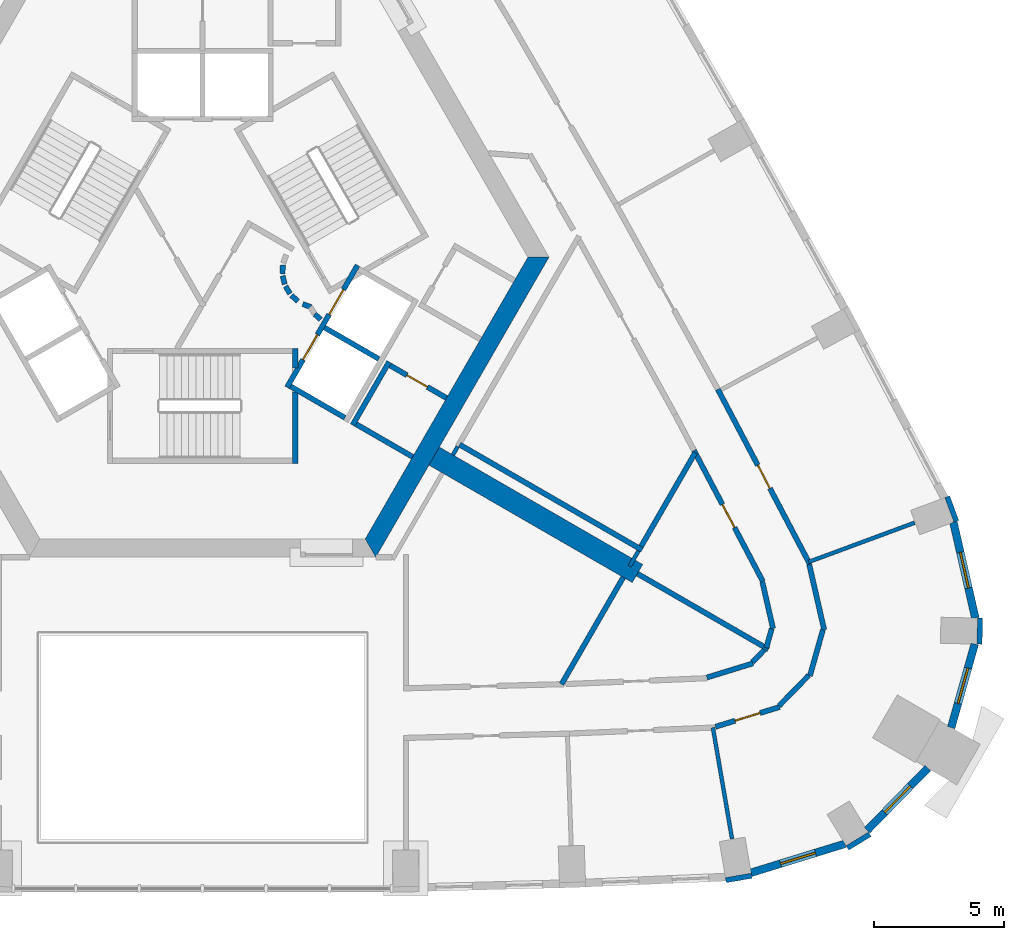
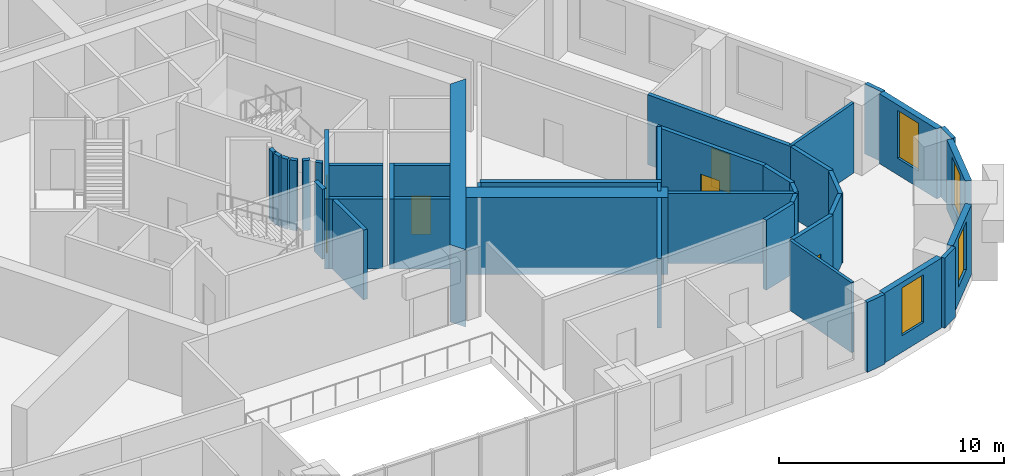
# One storey, part 6 of 13: 42 walls, 6 doors, 4 windows, 10 openings.
"""IFC4 building model written with IfcOpenShell, lengths in metres."""

from ifc_helpers import new_model, si_unit, direction, frame, frame_2d, origin, place, context, subcontext, project, spatial, polyline, rectangle, outline, extrude, material, layer, layer_set, type_object, element, fill, save


model = new_model("IFC4")

# Units and contexts
model_context = context("Model", 3, precision=1e-05, world=origin(), true_north=direction((0.0, 1.0)))
body_context = subcontext(model_context, "Body", "Model", "MODEL_VIEW")
ifc_project = project(units=[si_unit("LENGTHUNIT", "METRE"), si_unit("AREAUNIT", "SQUARE_METRE"), si_unit("VOLUMEUNIT", "CUBIC_METRE"), si_unit("PLANEANGLEUNIT", "RADIAN"), si_unit("MASSUNIT", "GRAM", prefix="KILO")], contexts=[model_context])

# Site, building, storey
site_placement = place(None, origin())
site = spatial("IfcSite", under=ifc_project, at=site_placement, CompositionType="ELEMENT")
building_placement = place(site_placement, origin())
building = spatial("IfcBuilding", under=site, at=building_placement, Name="Entoto Arch Interchange Tower", CompositionType="ELEMENT")
storey_placement = place(building_placement, frame((0.0, 0.0, 198.199951171875)))
storey = spatial("IfcBuildingStorey", under=building, at=storey_placement, Name="L44", CompositionType="ELEMENT", Elevation=198.199951171875)

# Walls
ifc_material_1 = material(Name="Concrete C50/60", Category="concrete")
ifc_layer_1 = layer(ifc_material_1, 0.800048828125)
ifc_layer_set_1 = layer_set([ifc_layer_1], Name="Concrete C50/60")
wall_type_1 = type_object("IfcWallType", Name="Buttress wall 800 C50/60", PredefinedType="SHEAR", material=ifc_layer_set_1)
wall_1_placement = place(storey_placement, frame((8.876953125, -5.125, -0.39990234375), z_axis=(0.0, 0.0, 1.0), x_axis=(0.866017533419, -0.500013631625, 0.0)))
element("IfcWall", 1, at=wall_1_placement, inside=storey, type_object=wall_type_1, Name="Buttress wall SE L44", PredefinedType="SHEAR", context=body_context, shape_type="SweptSolid", body=[
    extrude(rectangle(XDim=8.999755859375, YDim=0.800048828125, at=frame_2d((4.5, 0.0))), origin(), (0.0, 0.0, 1.0), 4.199951171875),
])
ifc_layer_2 = layer(ifc_material_1, 0.699951171875)
ifc_layer_set_2 = layer_set([ifc_layer_2], Name="Concrete C50/60")
wall_type_2 = type_object("IfcWallType", Name="Core wall 700 C50/60", PredefinedType="SHEAR", material=ifc_layer_set_2)
wall_2_placement = place(storey_placement, frame((0.0, 0.0, -0.39990234375)))
element("IfcWall", 2, at=wall_2_placement, inside=storey, type_object=wall_type_2, Name="Core wall SE L44", PredefinedType="SHEAR", context=body_context, shape_type="SweptSolid", body=[
    extrude(outline(polyline([(6.639892578125, -9.0), (13.279052734375, 2.5), (12.470947265625, 2.5), (6.235107421875, -8.300048828125), (6.639892578125, -9.0)])), origin(), (0.0, 0.0, 1.0), 4.199951171875),
])

# Wall, openings, doors
ifc_material_2 = material(Name="Concrete C40/50", Category="concrete")
ifc_layer_3 = layer(ifc_material_2, 0.199951171875)
ifc_layer_set_3 = layer_set([ifc_layer_3], Name="Concrete C40/50")
wall_type_3 = type_object("IfcWallType", Name="LIFT SHAFT WALL 200", PredefinedType="STANDARD", material=ifc_layer_set_3)
wall_3_placement = place(storey_placement, frame((3.239990234375, -2.488037109375, 0.0), z_axis=(0.0, 0.0, 1.0), x_axis=(0.500034260056, 0.866005622828, 0.0)))
wall_3 = element("IfcWall", 3, at=wall_3_placement, inside=storey, type_object=wall_type_3, Name="Shaft wall SE1 front", PredefinedType="STANDARD", context=body_context, shape_type="SweptSolid", body=[
    extrude(rectangle(XDim=5.3994140625, YDim=0.199951171875, at=frame_2d((2.69970703125, 0.0))), origin(), (0.0, 0.0, 1.0), 3.800048828125),
])
opening_1_placement = place(wall_3_placement, frame((3.22509765625, 0.0, 0.0)))
opening_1 = element("IfcOpeningElement", 4, at=opening_1_placement, cuts=wall_3, Name="Opening LD-HR3-L44", PredefinedType="OPENING", context=body_context, shape_type="SweptSolid", body=[
    extrude(rectangle(XDim=1.10009765625, YDim=2.10009765625, at=frame_2d((0.550048828125, 1.050048828125))), frame((0.0, 0.10986328125, 0.0), z_axis=(0.0, -1.0, 0.0), x_axis=(1.0, 0.0, 0.0)), (0.0, 0.0, 1.0), 0.219970703125),
])
opening_2_placement = place(wall_3_placement, frame((1.22509765625, 0.0, 0.0)))
opening_2 = element("IfcOpeningElement", 5, at=opening_2_placement, cuts=wall_3, Name="Opening LD-FF1-L44", PredefinedType="OPENING", context=body_context, shape_type="SweptSolid", body=[
    extrude(rectangle(XDim=1.10009765625, YDim=2.10009765625, at=frame_2d((0.550048828125, 1.050048828125))), frame((0.0, 0.10986328125, 0.0), z_axis=(0.0, -1.0, 0.0), x_axis=(1.0, 0.0, 0.0)), (0.0, 0.0, 1.0), 0.219970703125),
])
ifc_material_3 = material(Name="Stainless steel 1.4301 panels", Category="steel")
door_type_1 = type_object("IfcDoorType", Name="LIFT LANDING DOOR LD1 1100x2100", OperationType="SLIDING_TO_LEFT", PredefinedType="DOOR", material=ifc_material_3)
door_1_placement = place(opening_1_placement, origin())
door_1 = element("IfcDoor", 6, at=door_1_placement, inside=storey, type_object=door_type_1, Name="Lift landing door HR3 L44", OperationType="SLIDING_TO_LEFT", OverallHeight=2.10009765625, OverallWidth=1.10009765625, PredefinedType="DOOR", context=body_context, shape_type="SweptSolid", body=[
    extrude(rectangle(XDim=1.10009765625, YDim=2.10009765625, at=frame_2d((0.550048828125, 1.050048828125))), frame((0.0, 0.02490234375, 0.0), z_axis=(0.0, -1.0, 0.0), x_axis=(1.0, 0.0, 0.0)), (0.0, 0.0, 1.0), 0.050048828125),
])
fill(opening_1, door_1)
door_2_placement = place(opening_2_placement, origin())
door_2 = element("IfcDoor", 7, at=door_2_placement, inside=storey, type_object=door_type_1, Name="Lift landing door FF1 L44", OperationType="SLIDING_TO_LEFT", OverallHeight=2.10009765625, OverallWidth=1.10009765625, PredefinedType="DOOR", context=body_context, shape_type="SweptSolid", body=[
    extrude(rectangle(XDim=1.10009765625, YDim=2.10009765625, at=frame_2d((0.550048828125, 1.050048828125))), frame((0.0, 0.02490234375, 0.0), z_axis=(0.0, -1.0, 0.0), x_axis=(1.0, 0.0, 0.0)), (0.0, 0.0, 1.0), 0.050048828125),
])
fill(opening_2, door_2)

# Walls
wall_4_placement = place(storey_placement, frame((3.376953125, -2.451904296875, 0.0), z_axis=(0.0, 0.0, 1.0), x_axis=(0.865955154139, -0.50012165622, 0.0)))
element("IfcWall", 8, at=wall_4_placement, inside=storey, type_object=wall_type_3, Name="Shaft wall SE1 cross 1", PredefinedType="STANDARD", context=body_context, shape_type="SweptSolid", body=[
    extrude(rectangle(XDim=2.39990234375, YDim=0.199951171875, at=frame_2d((1.199951171875, 0.0))), origin(), (0.0, 0.0, 1.0), 3.800048828125),
])
wall_5_placement = place(storey_placement, frame((4.677001953125, -0.199951171875, 0.0), z_axis=(0.0, 0.0, 1.0), x_axis=(0.865973769406, -0.500089422704, 0.0)))
element("IfcWall", 9, at=wall_5_placement, inside=storey, type_object=wall_type_3, Name="Shaft wall SE1 cross 2", PredefinedType="STANDARD", context=body_context, shape_type="SweptSolid", body=[
    extrude(rectangle(XDim=2.3994140625, YDim=0.199951171875, at=frame_2d((1.19970703125, 0.0))), origin(), (0.0, 0.0, 1.0), 3.800048828125),
])
ifc_material_4 = material(Name="Gypsum board partition on steel studs", Category="steel")
ifc_layer_4 = layer(ifc_material_4, 0.14990234375)
ifc_layer_set_4 = layer_set([ifc_layer_4], Name="Gypsum board partition on steel studs")
wall_type_4 = type_object("IfcWallType", Name="PARTITION 150", PredefinedType="PARTITIONING", material=ifc_layer_set_4)
wall_6_placement = place(storey_placement, frame((16.7099609375, -8.758056640625, 0.0), z_axis=(0.0, 0.0, 1.0), x_axis=(-0.500013496215, -0.866017611601, 0.0)))
element("IfcWall", 10, at=wall_6_placement, inside=storey, type_object=wall_type_4, Name="wall:L44:p105", PredefinedType="PARTITIONING", context=body_context, shape_type="SweptSolid", body=[
    extrude(rectangle(XDim=0.677734375, YDim=0.14990234375, at=frame_2d((0.3388671875, 0.0))), origin(), (0.0, 0.0, 1.0), 3.800048828125),
])
wall_7_placement = place(storey_placement, frame((19.56103515625, -15.529052734375, 0.0), z_axis=(0.0, 0.0, 1.0), x_axis=(0.169546150064, -0.98552224886, 0.0)))
element("IfcWall", 11, at=wall_7_placement, inside=storey, type_object=wall_type_4, Name="wall:L44:p109", PredefinedType="PARTITIONING", context=body_context, shape_type="SweptSolid", body=[
    extrude(rectangle(XDim=4.32861328125, YDim=0.14990234375, at=frame_2d((2.164306640625, 0.0))), origin(), (0.0, 0.0, 1.0), 3.800048828125),
])
wall_8_placement = place(storey_placement, frame((23.23095703125, -9.181884765625, 0.0), z_axis=(0.0, 0.0, 1.0), x_axis=(0.937835784628, 0.34707930084, 0.0)))
element("IfcWall", 12, at=wall_8_placement, inside=storey, type_object=wall_type_4, Name="wall:L44:p110", PredefinedType="PARTITIONING", context=body_context, shape_type="SweptSolid", body=[
    extrude(rectangle(XDim=4.330322265625, YDim=0.14990234375, at=frame_2d((2.1650390625, 0.0))), origin(), (0.0, 0.0, 1.0), 3.800048828125),
])
wall_9_placement = place(storey_placement, frame((9.595947265625, -5.077880859375, 0.0), z_axis=(0.0, 0.0, 1.0), x_axis=(0.500827895298, 0.86554689029, 0.0)))
element("IfcWall", 13, at=wall_9_placement, inside=storey, type_object=wall_type_4, Name="wall:L44:p080", PredefinedType="PARTITIONING", context=body_context, shape_type="SweptSolid", body=[
    extrude(rectangle(XDim=0.369384765625, YDim=0.14990234375, at=frame_2d((0.1845703125, 0.0))), origin(), (0.0, 0.0, 1.0), 3.800048828125),
])
ifc_layer_5 = layer(ifc_material_4, 0.199951171875)
ifc_layer_set_5 = layer_set([ifc_layer_5], Name="Gypsum board partition on steel studs")
wall_type_5 = type_object("IfcWallType", Name="PARTITION 200", PredefinedType="PARTITIONING", material=ifc_layer_set_5)
wall_10_placement = place(storey_placement, frame((19.33203125, -13.611083984375, 0.0), z_axis=(0.0, 0.0, 1.0), x_axis=(0.955790442908, 0.294048685161, 0.0)))
element("IfcWall", 14, at=wall_10_placement, inside=storey, type_object=wall_type_5, Name="wall:L44:p021", PredefinedType="PARTITIONING", context=body_context, shape_type="SweptSolid", body=[
    extrude(rectangle(XDim=1.846435546875, YDim=0.199951171875, at=frame_2d((0.92333984375, 0.0))), origin(), (0.0, 0.0, 1.0), 3.800048828125),
])
wall_11_placement = place(storey_placement, frame((21.072021484375, -13.02587890625, 0.0), z_axis=(0.0, 0.0, 1.0), x_axis=(0.697252405765, 0.716825698936, 0.0)))
element("IfcWall", 15, at=wall_11_placement, inside=storey, type_object=wall_type_5, Name="wall:L44:p022", PredefinedType="PARTITIONING", context=body_context, shape_type="SweptSolid", body=[
    extrude(rectangle(XDim=0.6611328125, YDim=0.199951171875, at=frame_2d((0.33056640625, 0.0))), origin(), (0.0, 0.0, 1.0), 3.800048828125),
])
wall_12_placement = place(storey_placement, frame((21.60791015625, -12.47607421875, 0.0), z_axis=(0.0, 0.0, 1.0), x_axis=(0.270277025631, 0.962782597171, 0.0)))
element("IfcWall", 16, at=wall_12_placement, inside=storey, type_object=wall_type_5, Name="wall:L44:p023", PredefinedType="PARTITIONING", context=body_context, shape_type="SweptSolid", body=[
    extrude(rectangle(XDim=0.76953125, YDim=0.199951171875, at=frame_2d((0.384765625, 0.0))), origin(), (0.0, 0.0, 1.0), 3.800048828125),
])
wall_13_placement = place(storey_placement, frame((21.865966796875, -11.737060546875, 0.0), z_axis=(0.0, 0.0, 1.0), x_axis=(-0.222871656966, 0.974847795567, 0.0)))
element("IfcWall", 17, at=wall_13_placement, inside=storey, type_object=wall_type_5, Name="wall:L44:p024", PredefinedType="PARTITIONING", context=body_context, shape_type="SweptSolid", body=[
    extrude(rectangle(XDim=1.839111328125, YDim=0.199951171875, at=frame_2d((0.91943359375, 0.0))), origin(), (0.0, 0.0, 1.0), 3.800048828125),
])

# Wall, opening, door
wall_14_placement = place(storey_placement, frame((21.47998046875, -9.93505859375, 0.0), z_axis=(0.0, 0.0, 1.0), x_axis=(-0.465356775138, 0.885123195851, 0.0)))
wall_14 = element("IfcWall", 18, at=wall_14_placement, inside=storey, type_object=wall_type_5, Name="wall:L44:p025", PredefinedType="PARTITIONING", context=body_context, shape_type="SweptSolid", body=[
    extrude(rectangle(XDim=5.681640625, YDim=0.199951171875, at=frame_2d((2.8408203125, 0.0))), origin(), (0.0, 0.0, 1.0), 3.800048828125),
])
opening_3_placement = place(wall_14_placement, frame((2.341064453125, 0.0, 0.0)))
opening_3 = element("IfcOpeningElement", 19, at=opening_3_placement, cuts=wall_14, Name="Opening L44-D20", PredefinedType="OPENING", context=body_context, shape_type="SweptSolid", body=[
    extrude(rectangle(XDim=1.0, YDim=2.10009765625, at=frame_2d((0.5, 1.050048828125))), frame((0.0, 0.10986328125, 0.0), z_axis=(0.0, -1.0, 0.0), x_axis=(1.0, 0.0, 0.0)), (0.0, 0.0, 1.0), 0.219970703125),
])
ifc_material_5 = material(Name="Timber door leaf in Steel S235 frame", Category="steel")
door_type_2 = type_object("IfcDoorType", Name="DOOR DS-10 1000x2100", OperationType="SINGLE_SWING_LEFT", PredefinedType="DOOR", material=ifc_material_5)
door_3_placement = place(opening_3_placement, origin())
door_3 = element("IfcDoor", 20, at=door_3_placement, inside=storey, type_object=door_type_2, Name="door:L44:20", OperationType="SINGLE_SWING_LEFT", OverallHeight=2.10009765625, OverallWidth=1.0, PredefinedType="DOOR", context=body_context, shape_type="SweptSolid", body=[
    extrude(rectangle(XDim=1.0, YDim=2.10009765625, at=frame_2d((0.5, 1.050048828125))), frame((0.0, 0.02490234375, 0.0), z_axis=(0.0, -1.0, 0.0), x_axis=(1.0, 0.0, 0.0)), (0.0, 0.0, 1.0), 0.050048828125),
])
fill(opening_3, door_3)

# Walls
wall_15_placement = place(storey_placement, frame((23.2529296875, -9.279052734375, 0.0), z_axis=(0.0, 0.0, 1.0), x_axis=(0.222909903746, -0.974839050722, 0.0)))
element("IfcWall", 21, at=wall_15_placement, inside=storey, type_object=wall_type_5, Name="wall:L44:p037", PredefinedType="PARTITIONING", context=body_context, shape_type="SweptSolid", body=[
    extrude(rectangle(XDim=2.570556640625, YDim=0.199951171875, at=frame_2d((1.28515625, 0.0))), origin(), (0.0, 0.0, 1.0), 3.800048828125),
])
wall_16_placement = place(storey_placement, frame((23.77587890625, -11.783935546875, 0.0), z_axis=(0.0, 0.0, 1.0), x_axis=(-0.270522287318, -0.962713712411, 0.0)))
element("IfcWall", 22, at=wall_16_placement, inside=storey, type_object=wall_type_5, Name="wall:L44:p038", PredefinedType="PARTITIONING", context=body_context, shape_type="SweptSolid", body=[
    extrude(rectangle(XDim=1.83642578125, YDim=0.199951171875, at=frame_2d((0.918212890625, 0.0))), origin(), (0.0, 0.0, 1.0), 3.800048828125),
])
wall_17_placement = place(storey_placement, frame((23.236083984375, -13.528076171875, 0.0), z_axis=(0.0, 0.0, 1.0), x_axis=(-0.698551276451, -0.715560000397, 0.0)))
element("IfcWall", 23, at=wall_17_placement, inside=storey, type_object=wall_type_5, Name="wall:L44:p039", PredefinedType="PARTITIONING", context=body_context, shape_type="SweptSolid", body=[
    extrude(rectangle(XDim=1.63623046875, YDim=0.199951171875, at=frame_2d((0.818115234375, 0.0))), origin(), (0.0, 0.0, 1.0), 3.800048828125),
])

# Wall, opening, door
wall_18_placement = place(storey_placement, frame((22.118896484375, -14.740966796875, 0.0), z_axis=(0.0, 0.0, 1.0), x_axis=(-0.955612889251, -0.294625195625, 0.0)))
wall_18 = element("IfcWall", 24, at=wall_18_placement, inside=storey, type_object=wall_type_5, Name="wall:L44:p040", PredefinedType="PARTITIONING", context=body_context, shape_type="SweptSolid", body=[
    extrude(rectangle(XDim=2.576171875, YDim=0.199951171875, at=frame_2d((1.2880859375, 0.0))), origin(), (0.0, 0.0, 1.0), 3.800048828125),
])
opening_4_placement = place(wall_18_placement, frame((0.7880859375, 0.0, 0.0)))
opening_4 = element("IfcOpeningElement", 25, at=opening_4_placement, cuts=wall_18, Name="Opening L44-D03", PredefinedType="OPENING", context=body_context, shape_type="SweptSolid", body=[
    extrude(rectangle(XDim=1.0, YDim=2.10009765625, at=frame_2d((0.5, 1.050048828125))), frame((0.0, 0.10986328125, 0.0), z_axis=(0.0, -1.0, 0.0), x_axis=(1.0, 0.0, 0.0)), (0.0, 0.0, 1.0), 0.219970703125),
])
door_4_placement = place(opening_4_placement, origin())
door_4 = element("IfcDoor", 26, at=door_4_placement, inside=storey, type_object=door_type_2, Name="door:L44:03", OperationType="SINGLE_SWING_LEFT", OverallHeight=2.10009765625, OverallWidth=1.0, PredefinedType="DOOR", context=body_context, shape_type="SweptSolid", body=[
    extrude(rectangle(XDim=1.0, YDim=2.10009765625, at=frame_2d((0.5, 1.050048828125))), frame((0.0, 0.02490234375, 0.0), z_axis=(0.0, -1.0, 0.0), x_axis=(1.0, 0.0, 0.0)), (0.0, 0.0, 1.0), 0.050048828125),
])
fill(opening_4, door_4)

wall_19_placement = place(storey_placement, frame((19.75, -2.56298828125, 0.0), z_axis=(0.0, 0.0, 1.0), x_axis=(0.465444987791, -0.885076812113, 0.0)))
wall_19 = element("IfcWall", 27, at=wall_19_placement, inside=storey, type_object=wall_type_5, Name="wall:L44:p041", PredefinedType="PARTITIONING", context=body_context, shape_type="SweptSolid", body=[
    extrude(rectangle(XDim=7.577880859375, YDim=0.199951171875, at=frame_2d((3.7890625, 0.0))), origin(), (0.0, 0.0, 1.0), 3.800048828125),
])
opening_5_placement = place(wall_19_placement, frame((3.2890625, 0.0, 0.0)))
opening_5 = element("IfcOpeningElement", 28, at=opening_5_placement, cuts=wall_19, Name="Opening L44-D04", PredefinedType="OPENING", context=body_context, shape_type="SweptSolid", body=[
    extrude(rectangle(XDim=1.0, YDim=2.10009765625, at=frame_2d((0.5, 1.050048828125))), frame((0.0, 0.10986328125, 0.0), z_axis=(0.0, -1.0, 0.0), x_axis=(1.0, 0.0, 0.0)), (0.0, 0.0, 1.0), 0.219970703125),
])
door_5_placement = place(opening_5_placement, origin())
door_5 = element("IfcDoor", 29, at=door_5_placement, inside=storey, type_object=door_type_2, Name="door:L44:04", OperationType="SINGLE_SWING_LEFT", OverallHeight=2.10009765625, OverallWidth=1.0, PredefinedType="DOOR", context=body_context, shape_type="SweptSolid", body=[
    extrude(rectangle(XDim=1.0, YDim=2.10009765625, at=frame_2d((0.5, 1.050048828125))), frame((0.0, 0.02490234375, 0.0), z_axis=(0.0, -1.0, 0.0), x_axis=(1.0, 0.0, 0.0)), (0.0, 0.0, 1.0), 0.050048828125),
])
fill(opening_5, door_5)

# Walls
wall_20_placement = place(storey_placement, frame((8.052978515625, -5.152099609375, 0.0), z_axis=(0.0, 0.0, 1.0), x_axis=(-0.866022959057, 0.500004234368, 0.0)))
element("IfcWall", 30, at=wall_20_placement, inside=storey, type_object=wall_type_5, Name="wall:L44:p071", PredefinedType="PARTITIONING", context=body_context, shape_type="SweptSolid", body=[
    extrude(rectangle(XDim=2.5, YDim=0.199951171875, at=frame_2d((1.25, 0.0))), origin(), (0.0, 0.0, 1.0), 3.800048828125),
])
wall_21_placement = place(storey_placement, frame((5.7509765625, -3.93798828125, 0.0), z_axis=(0.0, 0.0, 1.0), x_axis=(0.49994636267, 0.866056369097, 0.0)))
element("IfcWall", 31, at=wall_21_placement, inside=storey, type_object=wall_type_5, Name="wall:L44:p072", PredefinedType="PARTITIONING", context=body_context, shape_type="SweptSolid", body=[
    extrude(rectangle(XDim=2.800048828125, YDim=0.199951171875, at=frame_2d((1.39990234375, 0.0))), origin(), (0.0, 0.0, 1.0), 3.800048828125),
])

# Wall, opening, door
wall_22_placement = place(storey_placement, frame((7.18798828125, -1.64990234375, 0.0), z_axis=(0.0, 0.0, 1.0), x_axis=(0.866022959057, -0.500004234368, 0.0)))
wall_22 = element("IfcWall", 32, at=wall_22_placement, inside=storey, type_object=wall_type_5, Name="wall:L44:p073", PredefinedType="PARTITIONING", context=body_context, shape_type="SweptSolid", body=[
    extrude(rectangle(XDim=2.5, YDim=0.199951171875, at=frame_2d((1.25, 0.0))), origin(), (0.0, 0.0, 1.0), 3.800048828125),
])
opening_6_placement = place(wall_22_placement, frame((0.75, 0.0, 0.0)))
opening_6 = element("IfcOpeningElement", 33, at=opening_6_placement, cuts=wall_22, Name="Opening L44-D32", PredefinedType="OPENING", context=body_context, shape_type="SweptSolid", body=[
    extrude(rectangle(XDim=0.89990234375, YDim=2.10009765625, at=frame_2d((0.449951171875, 1.050048828125))), frame((0.0, 0.10986328125, 0.0), z_axis=(0.0, -1.0, 0.0), x_axis=(1.0, 0.0, 0.0)), (0.0, 0.0, 1.0), 0.219970703125),
])
door_type_3 = type_object("IfcDoorType", Name="DOOR DS-09 900x2100", OperationType="SINGLE_SWING_LEFT", PredefinedType="DOOR", material=ifc_material_5)
door_6_placement = place(opening_6_placement, origin())
door_6 = element("IfcDoor", 34, at=door_6_placement, inside=storey, type_object=door_type_3, Name="door:L44:32", OperationType="SINGLE_SWING_RIGHT", OverallHeight=2.10009765625, OverallWidth=0.89990234375, PredefinedType="DOOR", context=body_context, shape_type="SweptSolid", body=[
    extrude(rectangle(XDim=0.89990234375, YDim=2.10009765625, at=frame_2d((0.449951171875, 1.050048828125))), frame((0.0, 0.02490234375, 0.0), z_axis=(0.0, -1.0, 0.0), x_axis=(1.0, 0.0, 0.0)), (0.0, 0.0, 1.0), 0.050048828125),
])
fill(opening_6, door_6)

# Walls
wall_23_placement = place(storey_placement, frame((3.0791015625, 2.198974609375, 0.0), z_axis=(0.0, 0.0, 1.0), x_axis=(-0.047771483479, -0.998858290933, 0.0)))
element("IfcWall", 35, at=wall_23_placement, inside=storey, type_object=wall_type_5, Name="wall:L44:p086", PredefinedType="PARTITIONING", context=body_context, shape_type="SweptSolid", body=[
    extrude(rectangle(XDim=0.33740234375, YDim=0.199951171875, at=frame_2d((0.168701171875, 0.0))), origin(), (0.0, 0.0, 1.0), 3.800048828125),
])
wall_24_placement = place(storey_placement, frame((3.070068359375, 1.785888671875, 0.0), z_axis=(0.0, 0.0, 1.0), x_axis=(0.242705583207, -0.970099994784, 0.0)))
element("IfcWall", 36, at=wall_24_placement, inside=storey, type_object=wall_type_5, Name="wall:L44:p087", PredefinedType="PARTITIONING", context=body_context, shape_type="SweptSolid", body=[
    extrude(rectangle(XDim=0.337890625, YDim=0.199951171875, at=frame_2d((0.1689453125, 0.0))), origin(), (0.0, 0.0, 1.0), 3.800048828125),
])
for number, where, z_axis, x_axis, name in (
    (37, (3.181884765625, 1.387939453125, 0.0), (0.0, 0.0, 1.0), (0.512474702713, -0.85870232274, 0.0), "wall:L44:p088"),
    (38, (3.404052734375, 1.0390625, 0.0), (0.0, 0.0, 1.0), (0.740267097712, -0.672312891476, 0.0), "wall:L44:p089"),
):
    element("IfcWall", number, at=place(storey_placement, frame(where, z_axis=z_axis, x_axis=x_axis)), inside=storey, type_object=wall_type_5, Name=name, PredefinedType="PARTITIONING", context=body_context, shape_type="SweptSolid", body=[
        extrude(rectangle(XDim=0.337646484375, YDim=0.199951171875, at=frame_2d((0.1689453125, 0.0))), origin(), (0.0, 0.0, 1.0), 3.800048828125),
    ])
wall_25_placement = place(storey_placement, frame((3.837890625, 0.701904296875, 0.0), z_axis=(0.0, 0.0, 1.0), x_axis=(0.941035081519, -0.338308993895, 0.0)))
element("IfcWall", 39, at=wall_25_placement, inside=storey, type_object=wall_type_5, Name="wall:L44:p090", PredefinedType="PARTITIONING", context=body_context, shape_type="SweptSolid", body=[
    extrude(rectangle(XDim=0.3369140625, YDim=0.199951171875, at=frame_2d((0.16845703125, 0.0))), origin(), (0.0, 0.0, 1.0), 3.800048828125),
])
wall_26_placement = place(storey_placement, frame((4.301025390625, 0.31494140625, 0.0), z_axis=(0.0, 0.0, 1.0), x_axis=(0.741798017506, -0.670623367639, 0.0)))
element("IfcWall", 40, at=wall_26_placement, inside=storey, type_object=wall_type_5, Name="wall:L44:p092", PredefinedType="PARTITIONING", context=body_context, shape_type="SweptSolid", body=[
    extrude(rectangle(XDim=0.30859375, YDim=0.199951171875, at=frame_2d((0.154296875, 0.0))), origin(), (0.0, 0.0, 1.0), 3.800048828125),
])
wall_27_placement = place(storey_placement, frame((9.85302734375, -4.68408203125, 0.0), z_axis=(0.0, 0.0, 1.0), x_axis=(0.865999791918, -0.500044358431, 0.0)))
element("IfcWall", 41, at=wall_27_placement, inside=storey, type_object=wall_type_5, Name="wall:L44:p103", PredefinedType="PARTITIONING", context=body_context, shape_type="SweptSolid", body=[
    extrude(rectangle(XDim=8.074951171875, YDim=0.199951171875, at=frame_2d((4.03759765625, 0.0))), origin(), (0.0, 0.0, 1.0), 3.800048828125),
])
wall_28_placement = place(storey_placement, frame((16.125, -9.77099609375, 0.0), z_axis=(0.0, 0.0, 1.0), x_axis=(-0.500030759312, -0.866007644159, 0.0)))
element("IfcWall", 42, at=wall_28_placement, inside=storey, type_object=wall_type_5, Name="wall:L44:p104", PredefinedType="PARTITIONING", context=body_context, shape_type="SweptSolid", body=[
    extrude(rectangle(XDim=4.729736328125, YDim=0.199951171875, at=frame_2d((2.36474609375, 0.0))), origin(), (0.0, 0.0, 1.0), 3.800048828125),
])
wall_29_placement = place(storey_placement, frame((18.882080078125, -4.9951171875, 0.0), z_axis=(0.0, 0.0, 1.0), x_axis=(-0.499895813511, -0.866085547527, 0.0)))
element("IfcWall", 43, at=wall_29_placement, inside=storey, type_object=wall_type_5, Name="wall:L44:p106", PredefinedType="PARTITIONING", context=body_context, shape_type="SweptSolid", body=[
    extrude(rectangle(XDim=4.14501953125, YDim=0.199951171875, at=frame_2d((2.072509765625, 0.0))), origin(), (0.0, 0.0, 1.0), 3.800048828125),
])
wall_30_placement = place(storey_placement, frame((16.6669921875, -9.631103515625, 0.0), z_axis=(0.0, 0.0, 1.0), x_axis=(0.866032775405, -0.499987231761, 0.0)))
element("IfcWall", 44, at=wall_30_placement, inside=storey, type_object=wall_type_5, Name="wall:L44:p107", PredefinedType="PARTITIONING", context=body_context, shape_type="SweptSolid", body=[
    extrude(rectangle(XDim=5.800048828125, YDim=0.199951171875, at=frame_2d((2.89990234375, 0.0))), origin(), (0.0, 0.0, 1.0), 3.800048828125),
])
ifc_layer_6 = layer(ifc_material_2, 0.199951171875)
ifc_layer_set_6 = layer_set([ifc_layer_6], Name="Concrete C40/50")
wall_type_6 = type_object("IfcWallType", Name="STAIR ENCLOSURE WALL 200", PredefinedType="STANDARD", material=ifc_layer_set_6)
wall_31_placement = place(storey_placement, frame((3.550048828125, -2.6669921875, 0.0), z_axis=(0.0, 0.0, 1.0), x_axis=(0.0, -1.0, 0.0)))
element("IfcWall", 45, at=wall_31_placement, inside=storey, type_object=wall_type_6, Name="Stair wall ST-S far", PredefinedType="STANDARD", context=body_context, shape_type="SweptSolid", body=[
    extrude(rectangle(XDim=2.73291015625, YDim=0.199951171875, at=frame_2d((1.366455078125, 0.0))), origin(), (0.0, 0.0, 1.0), 3.800048828125),
])
wall_32_placement = place(storey_placement, frame((3.550048828125, -1.0, 0.0), z_axis=(0.0, 0.0, 1.0), x_axis=(0.0, -1.0, 0.0)))
element("IfcWall", 46, at=wall_32_placement, inside=storey, type_object=wall_type_6, Name="Stair wall ST-S far return", PredefinedType="STANDARD", context=body_context, shape_type="SweptSolid", body=[
    extrude(rectangle(XDim=0.7509765625, YDim=0.199951171875, at=frame_2d((0.37548828125, 0.0))), origin(), (0.0, 0.0, 1.0), 3.800048828125),
])

# Wall, opening, window
ifc_material_6 = material(Name="Welded tuff (ignimbrite) cladding, warm buff", Category="masonry")
ifc_layer_7 = layer(ifc_material_6, 0.300048828125)
ifc_layer_set_7 = layer_set([ifc_layer_7], Name="Welded tuff (ignimbrite) cladding, warm buff")
wall_type_7 = type_object("IfcWallType", Name="STONE INFILL WALL 300", PredefinedType="STANDARD", material=ifc_layer_set_7)
wall_33_placement = place(storey_placement, frame((21.02392578125, -21.094970703125, 0.0), z_axis=(0.0, 0.0, 1.0), x_axis=(0.955692086233, 0.29436819854, 0.0)))
wall_33 = element("IfcWall", 47, at=wall_33_placement, inside=storey, type_object=wall_type_7, Name="Facade wall SE-01 L44", PredefinedType="STANDARD", context=body_context, shape_type="SweptSolid", body=[
    extrude(rectangle(XDim=3.76708984375, YDim=0.300048828125, at=frame_2d((1.883544921875, 0.0))), origin(), (0.0, 0.0, 1.0), 3.800048828125),
])
opening_7_placement = place(wall_33_placement, frame((1.18310546875, 0.0, 0.89990234375)))
opening_7 = element("IfcOpeningElement", 48, at=opening_7_placement, cuts=wall_33, Name="Opening WO-B", PredefinedType="OPENING", context=body_context, shape_type="SweptSolid", body=[
    extrude(rectangle(XDim=1.39990234375, YDim=2.60009765625, at=frame_2d((0.699951171875, 1.300048828125))), frame((0.0, 0.16015625, 0.0), z_axis=(0.0, -1.0, 0.0), x_axis=(1.0, 0.0, 0.0)), (0.0, 0.0, 1.0), 0.320068359375),
])
ifc_material_7 = material(Name="Clear glass, low-e double glazed", Category="glass")
window_type = type_object("IfcWindowType", Name="WINDOW WO-B 1400x2600", PartitioningType="DOUBLE_PANEL_VERTICAL", PredefinedType="WINDOW", material=ifc_material_7)
window_1_placement = place(opening_7_placement, origin())
window_1 = element("IfcWindow", 49, at=window_1_placement, inside=storey, type_object=window_type, Name="Window WO-B SE-01 L44", OverallHeight=2.60009765625, OverallWidth=1.39990234375, PartitioningType="SINGLE_PANEL", PredefinedType="WINDOW", context=body_context, shape_type="SweptSolid", body=[
    extrude(rectangle(XDim=1.39990234375, YDim=2.60009765625, at=frame_2d((0.699951171875, 1.300048828125))), frame((0.0, 0.030029296875, 0.0), z_axis=(0.0, -1.0, 0.0), x_axis=(1.0, 0.0, 0.0)), (0.0, 0.0, 1.0), 0.06005859375),
])
fill(opening_7, window_1)

wall_34_placement = place(storey_placement, frame((25.47607421875, -19.466064453125, 0.0), z_axis=(0.0, 0.0, 1.0), x_axis=(0.698311919602, 0.71579358962, 0.0)))
wall_34 = element("IfcWall", 50, at=wall_34_placement, inside=storey, type_object=wall_type_7, Name="Facade wall SE-02 L44", PredefinedType="STANDARD", context=body_context, shape_type="SweptSolid", body=[
    extrude(rectangle(XDim=3.32373046875, YDim=0.300048828125, at=frame_2d((1.661865234375, 0.0))), origin(), (0.0, 0.0, 1.0), 3.800048828125),
])
opening_8_placement = place(wall_34_placement, frame((0.9619140625, 0.0, 0.89990234375)))
opening_8 = element("IfcOpeningElement", 51, at=opening_8_placement, cuts=wall_34, Name="Opening WO-B", PredefinedType="OPENING", context=body_context, shape_type="SweptSolid", body=[
    extrude(rectangle(XDim=1.39990234375, YDim=2.60009765625, at=frame_2d((0.699951171875, 1.300048828125))), frame((0.0, 0.16015625, 0.0), z_axis=(0.0, -1.0, 0.0), x_axis=(1.0, 0.0, 0.0)), (0.0, 0.0, 1.0), 0.320068359375),
])
window_2_placement = place(opening_8_placement, origin())
window_2 = element("IfcWindow", 52, at=window_2_placement, inside=storey, type_object=window_type, Name="Window WO-B SE-02 L44", OverallHeight=2.60009765625, OverallWidth=1.39990234375, PartitioningType="SINGLE_PANEL", PredefinedType="WINDOW", context=body_context, shape_type="SweptSolid", body=[
    extrude(rectangle(XDim=1.39990234375, YDim=2.60009765625, at=frame_2d((0.699951171875, 1.300048828125))), frame((0.0, 0.030029296875, 0.0), z_axis=(0.0, -1.0, 0.0), x_axis=(1.0, 0.0, 0.0)), (0.0, 0.0, 1.0), 0.06005859375),
])
fill(opening_8, window_2)

wall_35_placement = place(storey_placement, frame((28.696044921875, -15.529052734375, 0.0), z_axis=(0.0, 0.0, 1.0), x_axis=(0.270798765166, 0.962635979374, 0.0)))
wall_35 = element("IfcWall", 53, at=wall_35_placement, inside=storey, type_object=wall_type_7, Name="Facade wall SE-03 L44", PredefinedType="STANDARD", context=body_context, shape_type="SweptSolid", body=[
    extrude(rectangle(XDim=3.3232421875, YDim=0.300048828125, at=frame_2d((1.66162109375, 0.0))), origin(), (0.0, 0.0, 1.0), 3.800048828125),
])
opening_9_placement = place(wall_35_placement, frame((0.9619140625, 0.0, 0.89990234375)))
opening_9 = element("IfcOpeningElement", 54, at=opening_9_placement, cuts=wall_35, Name="Opening WO-B", PredefinedType="OPENING", context=body_context, shape_type="SweptSolid", body=[
    extrude(rectangle(XDim=1.39990234375, YDim=2.60009765625, at=frame_2d((0.699951171875, 1.300048828125))), frame((0.0, 0.16015625, 0.0), z_axis=(0.0, -1.0, 0.0), x_axis=(1.0, 0.0, 0.0)), (0.0, 0.0, 1.0), 0.320068359375),
])
window_3_placement = place(opening_9_placement, origin())
window_3 = element("IfcWindow", 55, at=window_3_placement, inside=storey, type_object=window_type, Name="Window WO-B SE-03 L44", OverallHeight=2.60009765625, OverallWidth=1.39990234375, PartitioningType="SINGLE_PANEL", PredefinedType="WINDOW", context=body_context, shape_type="SweptSolid", body=[
    extrude(rectangle(XDim=1.39990234375, YDim=2.60009765625, at=frame_2d((0.699951171875, 1.300048828125))), frame((0.0, 0.030029296875, 0.0), z_axis=(0.0, -1.0, 0.0), x_axis=(1.0, 0.0, 0.0)), (0.0, 0.0, 1.0), 0.06005859375),
])
fill(opening_9, window_3)

wall_36_placement = place(storey_placement, frame((29.62109375, -11.33203125, 0.0), z_axis=(0.0, 0.0, 1.0), x_axis=(-0.223013094864, 0.974815448954, 0.0)))
wall_36 = element("IfcWall", 56, at=wall_36_placement, inside=storey, type_object=wall_type_7, Name="Facade wall SE-04 L44", PredefinedType="STANDARD", context=body_context, shape_type="SweptSolid", body=[
    extrude(rectangle(XDim=3.76708984375, YDim=0.300048828125, at=frame_2d((1.883544921875, 0.0))), origin(), (0.0, 0.0, 1.0), 3.800048828125),
])
opening_10_placement = place(wall_36_placement, frame((1.18310546875, 0.0, 0.89990234375)))
opening_10 = element("IfcOpeningElement", 57, at=opening_10_placement, cuts=wall_36, Name="Opening WO-B", PredefinedType="OPENING", context=body_context, shape_type="SweptSolid", body=[
    extrude(rectangle(XDim=1.39990234375, YDim=2.60009765625, at=frame_2d((0.699951171875, 1.300048828125))), frame((0.0, 0.16015625, 0.0), z_axis=(0.0, -1.0, 0.0), x_axis=(1.0, 0.0, 0.0)), (0.0, 0.0, 1.0), 0.320068359375),
])
window_4_placement = place(opening_10_placement, origin())
window_4 = element("IfcWindow", 58, at=window_4_placement, inside=storey, type_object=window_type, Name="Window WO-B SE-04 L44", OverallHeight=2.60009765625, OverallWidth=1.39990234375, PartitioningType="SINGLE_PANEL", PredefinedType="WINDOW", context=body_context, shape_type="SweptSolid", body=[
    extrude(rectangle(XDim=1.39990234375, YDim=2.60009765625, at=frame_2d((0.699951171875, 1.300048828125))), frame((0.0, 0.030029296875, 0.0), z_axis=(0.0, -1.0, 0.0), x_axis=(1.0, 0.0, 0.0)), (0.0, 0.0, 1.0), 0.06005859375),
])
fill(opening_10, window_4)

# Walls
ifc_layer_8 = layer(ifc_material_6, 0.199951171875)
ifc_layer_set_8 = layer_set([ifc_layer_8], Name="Welded tuff (ignimbrite) cladding, warm buff")
wall_type_8 = type_object("IfcWallType", Name="STONE PIER CLADDING 200", PredefinedType="STANDARD", material=ifc_layer_set_8)
for number, where, z_axis, x_axis, name in (
    (59, (28.89111328125, -7.62109375, 0.0), (0.0, 0.0, 1.0), (-0.347107644204, 0.937825294677, 0.0), "Stone pier NE01 L44"),
    (60, (20.05908203125, -21.3779296875, 0.0), (0.0, 0.0, 1.0), (0.985631544579, 0.168909615862, 0.0), "Stone pier S06 L44"),
):
    element("IfcWall", number, at=place(storey_placement, frame(where, z_axis=z_axis, x_axis=x_axis)), inside=storey, type_object=wall_type_8, Name=name, PredefinedType="STANDARD", context=body_context, shape_type="SweptSolid", body=[
        extrude(rectangle(XDim=1.000244140625, YDim=0.199951171875, at=frame_2d((0.5, 0.0))), origin(), (0.0, 0.0, 1.0), 3.800048828125),
    ])
wall_37_placement = place(storey_placement, frame((24.718017578125, -20.14208984375, 0.0), z_axis=(0.0, 0.0, 1.0), x_axis=(0.853679739553, 0.520798331677, 0.0)))
element("IfcWall", 61, at=wall_37_placement, inside=storey, type_object=wall_type_8, Name="Stone pier SE1 L44", PredefinedType="STANDARD", context=body_context, shape_type="SweptSolid", body=[
    extrude(rectangle(XDim=1.00048828125, YDim=0.199951171875, at=frame_2d((0.500244140625, 0.0))), origin(), (0.0, 0.0, 1.0), 3.800048828125),
])
wall_38_placement = place(storey_placement, frame((29.778076171875, -12.3349609375, 0.0), z_axis=(0.0, 0.0, 1.0), x_axis=(0.023942303888, 0.999713341956, 0.0)))
element("IfcWall", 62, at=wall_38_placement, inside=storey, type_object=wall_type_8, Name="Stone pier SE3 L44", PredefinedType="STANDARD", context=body_context, shape_type="SweptSolid", body=[
    extrude(rectangle(XDim=0.999267578125, YDim=0.199951171875, at=frame_2d((0.49951171875, 0.0))), origin(), (0.0, 0.0, 1.0), 3.800048828125),
])

save(model, "model.ifc")
